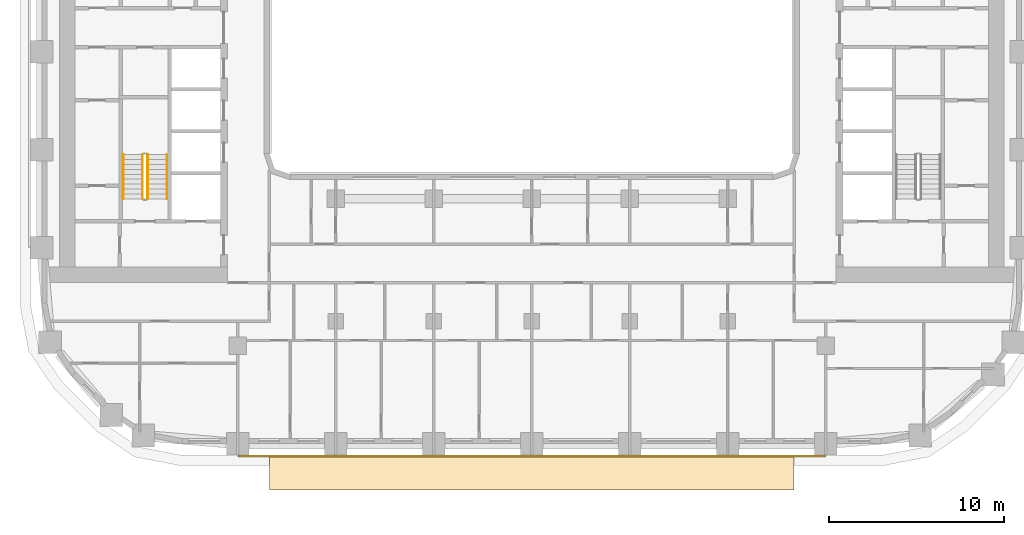
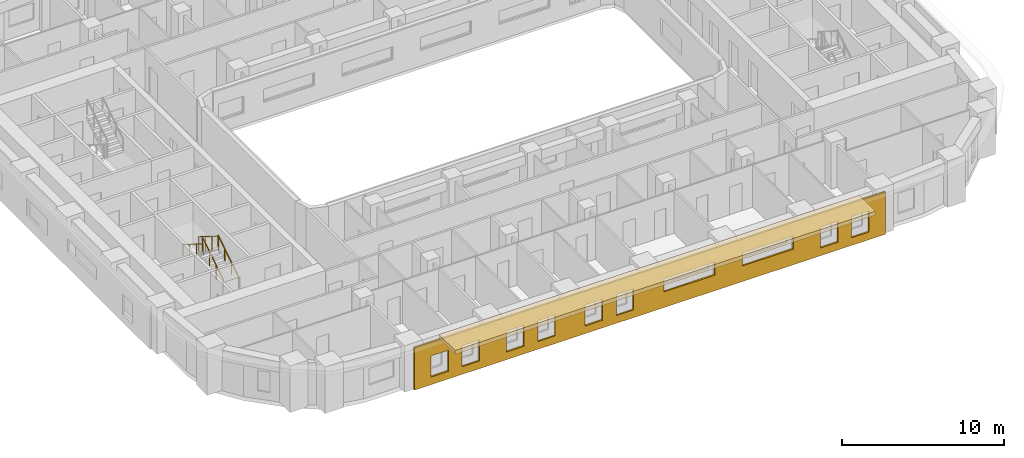
# One storey, part 13 of 22: 4 railings, 2 coverings.
"""IFC4 building model written with IfcOpenShell, lengths in metres."""

import ifcopenshell
import ifcopenshell.guid

model = None  # the IFC model being written
_history = None  # IfcOwnerHistory: only IFC2X3 demands one
_inside = {}  # id of a spatial element -> (the spatial element, [elements in it])
_under = {}  # id of a project, library or spatial element -> (it, [spatial elements below it])
_declared = {}  # id of a project -> (the project, [libraries it declares])
_typed = {}  # id of a type object -> (the type object, [elements of that type])
_made_of = {}  # id of a material, layer set ... -> (it, [elements and type objects made of it])


def new_model(schema):
    """Start an empty IFC model of exactly this schema.

    Asked for "IFC4X3", IfcOpenShell would pick the latest addendum, in which some entities
    have other attributes; the version numbers below select the first issue.
    IFC2X3 requires an IfcOwnerHistory on every rooted entity: one is made here for all.
    """
    global model, _history
    if schema == "IFC4X3":
        model = ifcopenshell.file(schema_version=(4, 3, 0, 0))
    else:
        model = ifcopenshell.file(schema=schema)
    _inside.clear()
    _under.clear()
    _declared.clear()
    _typed.clear()
    _made_of.clear()
    _history = None
    if model.schema == "IFC2X3":
        org = make("IfcOrganization", Name="unknown")
        user = make(
            "IfcPersonAndOrganization",
            ThePerson=make("IfcPerson", FamilyName="unknown"),
            TheOrganization=org,
        )
        app = make(
            "IfcApplication",
            ApplicationDeveloper=org,
            Version="unknown",
            ApplicationFullName="unknown",
            ApplicationIdentifier="unknown",
        )
        _history = make(
            "IfcOwnerHistory",
            OwningUser=user,
            OwningApplication=app,
            ChangeAction="ADDED",
            CreationDate=0,
        )
    return model


def make(cls, **values):
    """One entity of the class cls with the attributes given. An attribute that is None is left unset."""
    return model.create_entity(
        cls, **{name: value for name, value in values.items() if value is not None}
    )


def rooted(cls, **values):
    """An entity with a GlobalId (a new one), such as an element, a storey or a relation."""
    return make(cls, GlobalId=ifcopenshell.guid.new(), OwnerHistory=_history, **values)


def si_unit(unit_type, name, prefix=None):
    """IfcSIUnit, for example si_unit("LENGTHUNIT", "METRE", prefix="MILLI")."""
    return make("IfcSIUnit", UnitType=unit_type, Prefix=prefix, Name=name)


def assignment(units):
    """IfcUnitAssignment: the units of a project."""
    return None if units is None else make("IfcUnitAssignment", Units=units)


def point(xyz):
    """IfcCartesianPoint."""
    return None if xyz is None else make("IfcCartesianPoint", Coordinates=xyz)


def direction(xyz):
    """IfcDirection."""
    return None if xyz is None else make("IfcDirection", DirectionRatios=xyz)


def frame(location, z_axis=None, x_axis=None):
    """IfcAxis2Placement3D, a coordinate frame: its origin and axes. An axis left out is left unset."""
    return make(
        "IfcAxis2Placement3D",
        Location=point(location),
        Axis=direction(z_axis),
        RefDirection=direction(x_axis),
    )


def frame_2d(location, x_axis=None):
    """IfcAxis2Placement2D, a coordinate frame in the plane: its origin and x axis."""
    return make(
        "IfcAxis2Placement2D", Location=point(location), RefDirection=direction(x_axis)
    )


def origin():
    """The frame at (0, 0, 0) with its axes left unset."""
    return frame((0.0, 0.0, 0.0))


def origin_2d():
    """The frame at (0, 0) in the plane with its x axis left unset."""
    return frame_2d((0.0, 0.0))


def place(relative_to, where):
    """IfcLocalPlacement: puts the frame where relative to a parent placement (None: the world)."""
    return make(
        "IfcLocalPlacement", PlacementRelTo=relative_to, RelativePlacement=where
    )


def context(
    kind, dimensions, precision=None, world=None, true_north=None, identifier=None
):
    """IfcGeometricRepresentationContext, for example the 3D "Model" context."""
    return make(
        "IfcGeometricRepresentationContext",
        ContextIdentifier=identifier,
        ContextType=kind,
        CoordinateSpaceDimension=dimensions,
        Precision=precision,
        WorldCoordinateSystem=world,
        TrueNorth=true_north,
    )


def subcontext(parent, identifier, kind, view, scale=None):
    """IfcGeometricRepresentationSubContext, for example "Body" below "Model"."""
    return make(
        "IfcGeometricRepresentationSubContext",
        ContextIdentifier=identifier,
        ContextType=kind,
        ParentContext=parent,
        TargetScale=scale,
        TargetView=view,
    )


def project(units=None, contexts=None):
    """IfcProject with its units and contexts."""
    return rooted(
        "IfcProject",
        Name="project",
        RepresentationContexts=contexts,
        UnitsInContext=assignment(units),
    )


def spatial(cls, under=None, at=None, **own):
    """A site, building, storey or space (cls), placed at a placement, below another one or the project."""
    s = rooted(cls, ObjectPlacement=at, **own)
    if under is not None:
        _under.setdefault(under.id(), (under, []))[1].append(s)
    return s


def polyline(points):
    """IfcPolyline through the points."""
    return make("IfcPolyline", Points=[point(p) for p in points])


def profile(cls, at=None, kind="AREA", **sizes):
    """A parametric profile (cls). Its sizes go by their IFC names, for example OverallWidth=200.0."""
    return make(cls, ProfileType=kind, Position=at, **sizes)


def circle(**sizes):
    """IfcCircleProfileDef."""
    return profile("IfcCircleProfileDef", **sizes)


def outline(outer, holes=None, kind="AREA"):
    """IfcArbitraryClosedProfileDef: a profile drawn as a closed curve; with holes, ...WithVoids."""
    if holes is None:
        return make("IfcArbitraryClosedProfileDef", ProfileType=kind, OuterCurve=outer)
    return make(
        "IfcArbitraryProfileDefWithVoids",
        ProfileType=kind,
        OuterCurve=outer,
        InnerCurves=holes,
    )


def extrude(swept, where, along, depth):
    """IfcExtrudedAreaSolid: the profile swept, set in the frame where, extruded along a direction by depth."""
    return make(
        "IfcExtrudedAreaSolid",
        SweptArea=swept,
        Position=where,
        ExtrudedDirection=direction(along),
        Depth=depth,
    )


def shape(context_of_items, identifier, shape_type, items):
    """IfcShapeRepresentation: the items that make up one representation, for example the "Body"."""
    return make(
        "IfcShapeRepresentation",
        ContextOfItems=context_of_items,
        RepresentationIdentifier=identifier,
        RepresentationType=shape_type,
        Items=items,
    )


def material(Name=None, Category=None):
    """IfcMaterial."""
    return make("IfcMaterial", Name=Name, Category=Category)


def layer(
    of_material, thickness, ventilated=None, Name=None, Category=None, Priority=None
):
    """IfcMaterialLayer: one layer of a wall or slab, of a material (None: an air gap)."""
    return make(
        "IfcMaterialLayer",
        Material=of_material,
        LayerThickness=thickness,
        IsVentilated=ventilated,
        Name=Name,
        Category=Category,
        Priority=Priority,
    )


def layer_set(layers, Name=None):
    """IfcMaterialLayerSet."""
    return make("IfcMaterialLayerSet", MaterialLayers=layers, LayerSetName=Name)


def made_of(thing, what):
    """Note that an element or type object is made of a material, layer set ...; save() writes the relation."""
    if what is not None:
        _made_of.setdefault(what.id(), (what, []))[1].append(thing)
    return thing


def type_object(cls, material=None, **own):
    """A type object (cls), such as IfcWallType, which elements share."""
    return made_of(rooted(cls, **own), material)


def element(
    cls,
    number,
    at=None,
    inside=None,
    cuts=None,
    type_object=None,
    material=None,
    context=None,
    identifier="Body",
    shape_type=None,
    held_by="IfcProductDefinitionShape",
    body=None,
    shapes=None,
    **own,
):
    """One element of the class cls, such as IfcWall. Its Tag is "e" and its number.

    at: its placement. inside: the storey or other place that contains it. cuts: it is an
    opening in that element (IfcRelVoidsElement). A single representation is given by context,
    identifier, shape_type and body (its items); several are given by shapes. held_by: the class
    of the entity that holds the representations. save() writes the other relations.
    """
    e = rooted(cls, Tag="e%d" % number, ObjectPlacement=at, **own)
    if body is not None:
        shapes = [shape(context, identifier, shape_type, body)]
    if shapes is not None:
        e.Representation = make(held_by, Representations=shapes)
    if inside is not None:
        _inside.setdefault(inside.id(), (inside, []))[1].append(e)
    if cuts is not None:
        rooted(
            "IfcRelVoidsElement", RelatingBuildingElement=cuts, RelatedOpeningElement=e
        )
    if type_object is not None:
        _typed.setdefault(type_object.id(), (type_object, []))[1].append(e)
    return made_of(e, material)


def aggregate(whole, parts):
    """IfcRelAggregates: a whole, such as a stair, and the parts it consists of."""
    return rooted("IfcRelAggregates", RelatingObject=whole, RelatedObjects=parts)


def save(model, path):
    """Write the relations noted so far, then the file.

    IfcRelAggregates (storeys below a building ...), IfcRelContainedInSpatialStructure (elements
    in a storey), IfcRelDefinesByType, IfcRelAssociatesMaterial and IfcRelDeclares: one each for
    every whole, place, type object, material and project.
    """
    for whole, parts in _under.values():
        aggregate(whole, parts)
    for where, things in _inside.values():
        rooted(
            "IfcRelContainedInSpatialStructure",
            RelatedElements=things,
            RelatingStructure=where,
        )
    for kind, things in _typed.values():
        rooted("IfcRelDefinesByType", RelatedObjects=things, RelatingType=kind)
    for what, things in _made_of.values():
        rooted("IfcRelAssociatesMaterial", RelatedObjects=things, RelatingMaterial=what)
    for by, libraries in _declared.values():
        rooted("IfcRelDeclares", RelatingContext=by, RelatedDefinitions=libraries)
    model.write(path)


model = new_model("IFC4")

# Units and contexts
model_context = context("Model", 3, precision=1e-05, world=origin(), true_north=direction((0.0, 1.0)))
body_context = subcontext(model_context, "Body", "Model", "MODEL_VIEW")
ifc_project = project(units=[si_unit("LENGTHUNIT", "METRE"), si_unit("AREAUNIT", "SQUARE_METRE"), si_unit("VOLUMEUNIT", "CUBIC_METRE"), si_unit("PLANEANGLEUNIT", "RADIAN"), si_unit("MASSUNIT", "GRAM", prefix="KILO")], contexts=[model_context])

# Site, building, storey
site_placement = place(None, origin())
site = spatial("IfcSite", under=ifc_project, at=site_placement, CompositionType="ELEMENT")
building_placement = place(site_placement, origin())
building = spatial("IfcBuilding", under=site, at=building_placement, Name="Kiln Ring Residences", CompositionType="ELEMENT")
storey_placement = place(building_placement, frame((0.0, 0.0, 90.300048828125)))
storey = spatial("IfcBuildingStorey", under=building, at=storey_placement, Name="L22", CompositionType="ELEMENT", Elevation=90.300048828125)

# Railings
ifc_material_1 = material(Name="Stainless steel", Category="steel")
railing_type_1 = type_object("IfcRailingType", Name="CORE-STAIR-GUARD", PredefinedType="GUARDRAIL", material=ifc_material_1)
railing_1_placement = place(storey_placement, frame((-21.949951171875, -8.39990234375, 0.175048828125)))
element("IfcRailing", 1, at=railing_1_placement, inside=storey, type_object=railing_type_1, Name="L22 W-STS stair guard 1", PredefinedType="GUARDRAIL", context=body_context, shape_type="SweptSolid", body=[
    extrude(circle(Radius=0.02392578125, at=origin_2d()), frame((0.0, 0.0, 1.076171875), z_axis=(0.0, 0.848007534815, 0.529984170421), x_axis=(-1.0, 0.0, 0.0)), (0.0, 0.0, 1.0), 2.9716796875),
    extrude(circle(Radius=0.02099609375, at=origin_2d()), origin(), (0.0, 0.0, 1.0), 1.052001953125),
    extrude(circle(Radius=0.02099609375, at=origin_2d()), frame((0.0, 0.840087890625, 0.52490234375)), (0.0, 0.0, 1.0), 1.052001953125),
    extrude(circle(Radius=0.02099609375, at=origin_2d()), frame((0.0, 1.679931640625, 1.050048828125)), (0.0, 0.0, 1.0), 1.052001953125),
    extrude(circle(Radius=0.02099609375, at=origin_2d()), frame((0.0, 2.52001953125, 1.574951171875)), (0.0, 0.0, 1.0), 1.052001953125),
])
railing_2_placement = place(storey_placement, frame((-22.25, -5.8798828125, 1.925048828125)))
element("IfcRailing", 2, at=railing_2_placement, inside=storey, type_object=railing_type_1, Name="L22 W-STS stair guard 3", PredefinedType="GUARDRAIL", context=body_context, shape_type="SweptSolid", body=[
    extrude(circle(Radius=0.02392578125, at=origin_2d()), frame((0.0, 0.0, 1.076171875), z_axis=(0.0, -0.848007534815, 0.529984170421), x_axis=(1.0, 0.0, 0.0)), (0.0, 0.0, 1.0), 2.9716796875),
    extrude(circle(Radius=0.02099609375, at=origin_2d()), origin(), (0.0, 0.0, 1.0), 1.052001953125),
    extrude(circle(Radius=0.02099609375, at=origin_2d()), frame((0.0, -0.840087890625, 0.52490234375)), (0.0, 0.0, 1.0), 1.052001953125),
    extrude(circle(Radius=0.02099609375, at=origin_2d()), frame((0.0, -1.679931640625, 1.050048828125)), (0.0, 0.0, 1.0), 1.052001953125),
    extrude(circle(Radius=0.02099609375, at=origin_2d()), frame((0.0, -2.52001953125, 1.574951171875)), (0.0, 0.0, 1.0), 1.052001953125),
])
ifc_material_2 = material(Name="Stainless steel", Category="steel")
railing_type_2 = type_object("IfcRailingType", Name="CORE-STAIR-HANDRAIL", PredefinedType="HANDRAIL", material=ifc_material_2)
railing_3_placement = place(storey_placement, frame((-20.85009765625, -8.39990234375, 0.175048828125)))
element("IfcRailing", 3, at=railing_3_placement, inside=storey, type_object=railing_type_2, Name="L22 W-STS stair handrail 1", PredefinedType="HANDRAIL", context=body_context, shape_type="SweptSolid", body=[
    extrude(circle(Radius=0.02392578125, at=origin_2d()), frame((0.0, 0.0, 0.8759765625), z_axis=(0.0, 0.848007534815, 0.529984170421), x_axis=(-1.0, 0.0, 0.0)), (0.0, 0.0, 1.0), 2.9716796875),
    extrude(circle(Radius=0.02099609375, at=origin_2d()), origin(), (0.0, 0.0, 1.0), 0.851806640625),
    extrude(circle(Radius=0.02099609375, at=origin_2d()), frame((0.0, 0.840087890625, 0.52490234375)), (0.0, 0.0, 1.0), 0.851806640625),
    extrude(circle(Radius=0.02099609375, at=origin_2d()), frame((0.0, 1.679931640625, 1.050048828125)), (0.0, 0.0, 1.0), 0.851806640625),
    extrude(circle(Radius=0.02099609375, at=origin_2d()), frame((0.0, 2.52001953125, 1.574951171875)), (0.0, 0.0, 1.0), 0.851806640625),
])
railing_4_placement = place(storey_placement, frame((-23.35009765625, -5.8798828125, 1.925048828125)))
element("IfcRailing", 4, at=railing_4_placement, inside=storey, type_object=railing_type_2, Name="L22 W-STS stair handrail 2", PredefinedType="HANDRAIL", context=body_context, shape_type="SweptSolid", body=[
    extrude(circle(Radius=0.02392578125, at=origin_2d()), frame((0.0, 0.0, 0.8759765625), z_axis=(0.0, -0.848007534815, 0.529984170421), x_axis=(1.0, 0.0, 0.0)), (0.0, 0.0, 1.0), 2.9716796875),
    extrude(circle(Radius=0.02099609375, at=origin_2d()), origin(), (0.0, 0.0, 1.0), 0.851806640625),
    extrude(circle(Radius=0.02099609375, at=origin_2d()), frame((0.0, -0.840087890625, 0.52490234375)), (0.0, 0.0, 1.0), 0.851806640625),
    extrude(circle(Radius=0.02099609375, at=origin_2d()), frame((0.0, -1.679931640625, 1.050048828125)), (0.0, 0.0, 1.0), 0.851806640625),
    extrude(circle(Radius=0.02099609375, at=origin_2d()), frame((0.0, -2.52001953125, 1.574951171875)), (0.0, 0.0, 1.0), 0.851806640625),
])

# Coverings
ifc_material_3 = material(Name="Brick masonry, dark clay brick", Category="masonry")
ifc_layer_1 = layer(ifc_material_3, 0.1201171875)
ifc_layer_set_1 = layer_set([ifc_layer_1], Name="RAINSCREEN PANEL 120")
covering_type_1 = type_object("IfcCoveringType", Name="RAINSCREEN PANEL 120", PredefinedType="CLADDING", material=ifc_layer_set_1)
covering_1_placement = place(storey_placement, frame((-16.800048828125, -23.110107421875, 0.0), z_axis=(0.0, 0.0, 1.0), x_axis=(1.0, 0.0, 0.0)))
element("IfcCovering", 5, at=covering_1_placement, inside=storey, type_object=covering_type_1, Name="RAINSCREEN L22", PredefinedType="CLADDING", context=body_context, shape_type="SweptSolid", body=[
    extrude(outline(polyline([(0.0, 0.0), (33.60009765625, 0.0), (33.60009765625, 3.199951171875), (0.0, 3.199951171875), (0.0, 0.0)]), holes=[polyline([(1.16748046875, 0.579833984375), (2.407470703125, 0.579833984375), (2.407470703125, 2.169921875), (1.16748046875, 2.169921875), (1.16748046875, 0.579833984375)]), polyline([(3.392578125, 0.579833984375), (4.632568359375, 0.579833984375), (4.632568359375, 2.169921875), (3.392578125, 2.169921875), (3.392578125, 0.579833984375)]), polyline([(6.5673828125, 0.579833984375), (7.8076171875, 0.579833984375), (7.8076171875, 2.169921875), (6.5673828125, 2.169921875), (6.5673828125, 0.579833984375)]), polyline([(8.79248046875, 2.169921875), (8.79248046875, 0.579833984375), (10.032470703125, 0.579833984375), (10.032470703125, 2.169921875), (8.79248046875, 2.169921875)]), polyline([(12.16748046875, 2.169921875), (12.16748046875, 0.579833984375), (13.407470703125, 0.579833984375), (13.407470703125, 2.169921875), (12.16748046875, 2.169921875)]), polyline([(14.392578125, 0.579833984375), (15.632568359375, 0.579833984375), (15.632568359375, 2.169921875), (14.392578125, 2.169921875), (14.392578125, 0.579833984375)]), polyline([(28.967529296875, 0.579833984375), (30.20751953125, 0.579833984375), (30.20751953125, 2.169921875), (28.967529296875, 2.169921875), (28.967529296875, 0.579833984375)]), polyline([(31.1923828125, 0.579833984375), (32.4326171875, 0.579833984375), (32.4326171875, 2.169921875), (31.1923828125, 2.169921875), (31.1923828125, 0.579833984375)]), polyline([(17.780029296875, 2.169921875), (17.780029296875, 1.179931640625), (21.419921875, 1.179931640625), (21.419921875, 2.169921875), (17.780029296875, 2.169921875)]), polyline([(23.3798828125, 2.169921875), (23.3798828125, 1.179931640625), (27.02001953125, 1.179931640625), (27.02001953125, 2.169921875), (23.3798828125, 2.169921875)])]), frame((0.0, 0.06005859375, 0.0), z_axis=(0.0, -1.0, 0.0), x_axis=(1.0, 0.0, 0.0)), (0.0, 0.0, 1.0), 0.1201171875),
])
ifc_material_4 = material(Name="Black powder-coated steel", Category="steel")
ifc_layer_2 = layer(ifc_material_4, 0.300048828125)
ifc_layer_set_2 = layer_set([ifc_layer_2], Name="SUNSHADE BAND 2000")
covering_type_2 = type_object("IfcCoveringType", Name="SUNSHADE BAND 2000", PredefinedType="CLADDING", material=ifc_layer_set_2)
covering_2_placement = place(storey_placement, frame((0.0, 0.0, 3.199951171875)))
element("IfcCovering", 6, at=covering_2_placement, inside=storey, type_object=covering_type_2, Name="SUNSHADE BAND L22", PredefinedType="CLADDING", context=body_context, shape_type="SweptSolid", body=[
    extrude(outline(polyline([(-15.0, -25.050048828125), (15.0, -25.050048828125), (15.0, -23.050048828125), (-15.0, -23.050048828125), (-15.0, -25.050048828125)])), origin(), (0.0, 0.0, 1.0), 0.300048828125),
])

save(model, "model.ifc")
